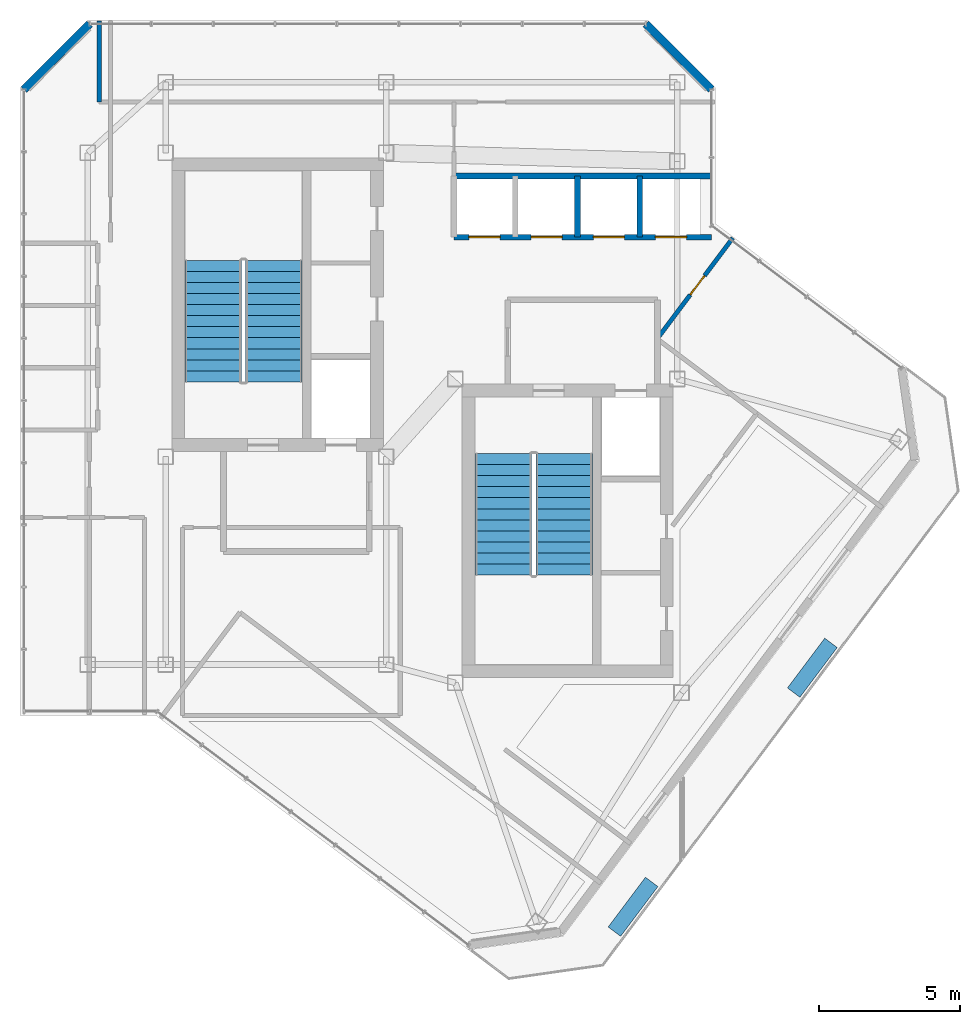
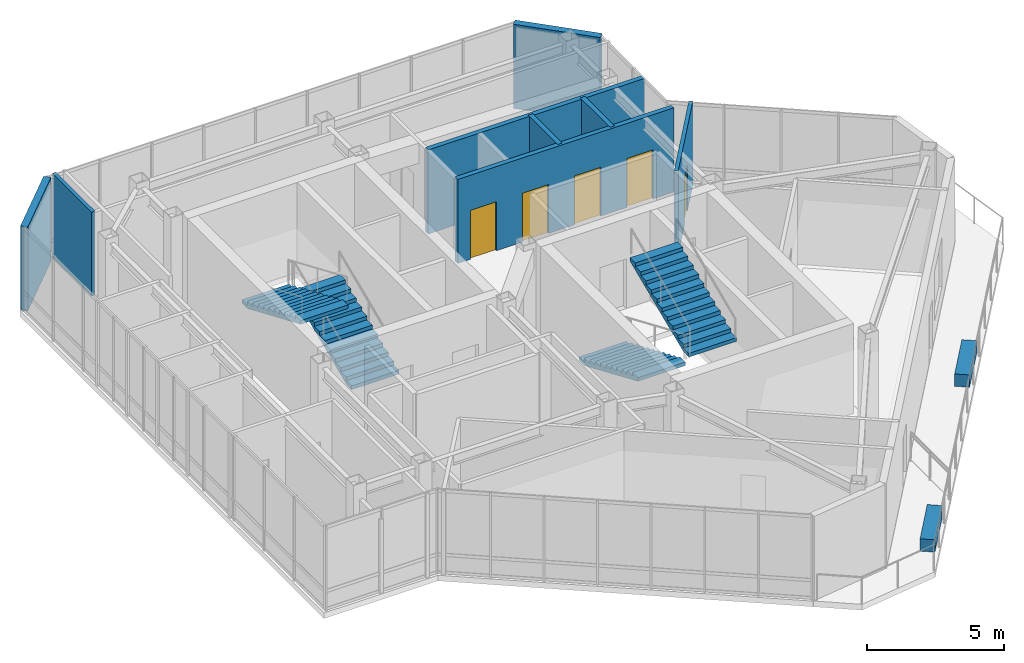
# One storey, part 20 of 23: 8 walls, 5 doors, 4 stair flights, 2 discrete accessories, 5 openings, 2 elements without a shape of their own.
"""IFC4 building model written with IfcOpenShell, lengths in metres."""

from ifc_helpers import new_model, si_unit, direction, frame, frame_2d, origin, origin_2d, place, context, subcontext, project, spatial, polyline, rectangle, outline, extrude, material, layer, layer_set, type_object, element, fill, aggregate, save


model = new_model("IFC4")

# Units and contexts
model_context = context("Model", 3, precision=1e-05, world=origin(), true_north=direction((0.0, 1.0)))
body_context = subcontext(model_context, "Body", "Model", "MODEL_VIEW")
ifc_project = project(units=[si_unit("LENGTHUNIT", "METRE"), si_unit("AREAUNIT", "SQUARE_METRE"), si_unit("VOLUMEUNIT", "CUBIC_METRE"), si_unit("PLANEANGLEUNIT", "RADIAN"), si_unit("MASSUNIT", "GRAM", prefix="KILO")], contexts=[model_context])

# Site, building, storey
site_placement = place(None, origin())
site = spatial("IfcSite", under=ifc_project, at=site_placement, CompositionType="ELEMENT")
building_placement = place(site_placement, origin())
building = spatial("IfcBuilding", under=site, at=building_placement, Name="Hatsunagi Terrace Concourse", CompositionType="ELEMENT")
storey_placement = place(building_placement, frame((0.0, 0.0, 281.949951171875)))
storey = spatial("IfcBuildingStorey", under=building, at=storey_placement, Name="L74", CompositionType="ELEMENT", Elevation=281.949951171875)

# Wall
ifc_material_1 = material(Name="Acoustic mineral board", Category="gypsum")
ifc_layer_1 = layer(ifc_material_1, 0.14990234375)
ifc_layer_set_1 = layer_set([ifc_layer_1], Name="PartitionWall_EI60_150")
wall_type_1 = type_object("IfcWallType", Name="PartitionWall_EI60_150", PredefinedType="PARTITIONING", material=ifc_layer_set_1)
wall_1_placement = place(storey_placement, frame((23.199951171875, 45.10009765625, 0.0), z_axis=(0.0, 0.0, 1.0), x_axis=(0.0, 1.0, 0.0)))
element("IfcWall", 1, at=wall_1_placement, inside=storey, type_object=wall_type_1, Name="Interior Partition IW-L74-029", PredefinedType="PARTITIONING", context=body_context, shape_type="SweptSolid", body=[
    extrude(rectangle(XDim=2.85986328125, YDim=0.14990234375, at=frame_2d((1.429931640625, 0.0))), origin(), (0.0, 0.0, 1.0), 3.75),
])

# Wall, opening, door
wall_2_placement = place(storey_placement, frame((42.93994140625, 36.719970703125, 0.0), z_axis=(0.0, 0.0, 1.0), x_axis=(0.599991241767, 0.8000065686, 0.0)))
wall_2 = element("IfcWall", 2, at=wall_2_placement, inside=storey, type_object=wall_type_1, Name="Interior Partition IW-L74-043", PredefinedType="PARTITIONING", context=body_context, shape_type="SweptSolid", body=[
    extrude(rectangle(XDim=4.460205078125, YDim=0.14990234375, at=frame_2d((2.22998046875, 0.0))), origin(), (0.0, 0.0, 1.0), 3.75),
])
opening_1_placement = place(wall_2_placement, frame((1.947021484375, 0.0, 0.0)))
opening_1 = element("IfcOpeningElement", 3, at=opening_1_placement, cuts=wall_2, Name="Opening DR-085", PredefinedType="OPENING", context=body_context, shape_type="SweptSolid", body=[
    extrude(rectangle(XDim=0.85009765625, YDim=2.080078125, at=frame_2d((0.425048828125, 1.0400390625))), frame((0.0, 0.0849609375, 0.0), z_axis=(0.0, -1.0, 0.0), x_axis=(1.0, 0.0, 0.0)), (0.0, 0.0, 1.0), 0.169921875),
])
ifc_material_2 = material(Name="Painted steel", Category="steel")
door_type_1 = type_object("IfcDoorType", Name="RiserAccessDoor_EI60_850", OperationType="NOTDEFINED", PredefinedType="DOOR", material=ifc_material_2)
door_1_placement = place(opening_1_placement, origin())
door_1 = element("IfcDoor", 4, at=door_1_placement, inside=storey, type_object=door_type_1, Name="Meeting Room L74-CR3B Door", OperationType="SINGLE_SWING_LEFT", OverallHeight=2.080078125, OverallWidth=0.85009765625, PredefinedType="DOOR", context=body_context, shape_type="SweptSolid", body=[
    extrude(rectangle(XDim=0.85009765625, YDim=2.080078125, at=frame_2d((0.425048828125, 1.0400390625))), frame((0.0, 0.02490234375, 0.0), z_axis=(0.0, -1.0, 0.0), x_axis=(1.0, 0.0, 0.0)), (0.0, 0.0, 1.0), 0.050048828125),
])
fill(opening_1, door_1)

# Walls
ifc_material_3 = material(Name="Acoustic mineral board", Category="gypsum")
ifc_layer_2 = layer(ifc_material_3, 0.199951171875)
ifc_layer_set_2 = layer_set([ifc_layer_2], Name="ShaftWall_EI120_200")
wall_type_2 = type_object("IfcWallType", Name="ShaftWall_EI120_200", PredefinedType="STANDARD", material=ifc_layer_set_2)
wall_3_placement = place(storey_placement, frame((35.75, 42.47998046875, 0.0), z_axis=(0.0, 0.0, 1.0), x_axis=(1.0, 0.0, 0.0)))
element("IfcWall", 5, at=wall_3_placement, inside=storey, type_object=wall_type_2, Name="Interior Partition IW-L74-011", PredefinedType="STANDARD", context=body_context, shape_type="SweptSolid", body=[
    extrude(rectangle(XDim=9.110107421875, YDim=0.199951171875, at=frame_2d((4.55517578125, 0.0))), origin(), (0.0, 0.0, 1.0), 3.75),
])
for number, where, z_axis, x_axis, name in (
    (6, (40.1201171875, 40.320068359375, 0.0), (0.0, 0.0, 1.0), (0.0, 1.0, 0.0), "Interior Partition IW-L74-014"),
    (7, (42.320068359375, 40.320068359375, 0.0), (0.0, 0.0, 1.0), (0.0, 1.0, 0.0), "Interior Partition IW-L74-015"),
):
    element("IfcWall", number, at=place(storey_placement, frame(where, z_axis=z_axis, x_axis=x_axis)), inside=storey, type_object=wall_type_2, Name=name, PredefinedType="STANDARD", context=body_context, shape_type="SweptSolid", body=[
        extrude(rectangle(XDim=2.159912109375, YDim=0.199951171875, at=frame_2d((1.080078125, 0.0))), origin(), (0.0, 0.0, 1.0), 3.75),
    ])

# Wall, openings, doors
wall_4_placement = place(storey_placement, frame((35.75, 40.320068359375, 0.0), z_axis=(0.0, 0.0, 1.0), x_axis=(1.0, 0.0, 0.0)))
wall_4 = element("IfcWall", 8, at=wall_4_placement, inside=storey, type_object=wall_type_2, Name="Interior Partition IW-L74-016", PredefinedType="STANDARD", context=body_context, shape_type="SweptSolid", body=[
    extrude(rectangle(XDim=9.110107421875, YDim=0.199951171875, at=frame_2d((4.55517578125, 0.0))), origin(), (0.0, 0.0, 1.0), 3.75),
])
opening_2_placement = place(wall_4_placement, frame((0.530029296875, 0.0, 0.0)))
opening_2 = element("IfcOpeningElement", 9, at=opening_2_placement, cuts=wall_4, Name="Opening LD-04", PredefinedType="OPENING", context=body_context, shape_type="SweptSolid", body=[
    extrude(rectangle(XDim=1.10009765625, YDim=2.179931640625, at=frame_2d((0.550048828125, 1.08984375))), frame((0.0, 0.10986328125, 0.0), z_axis=(0.0, -1.0, 0.0), x_axis=(1.0, 0.0, 0.0)), (0.0, 0.0, 1.0), 0.219970703125),
])
opening_3_placement = place(wall_4_placement, frame((2.72998046875, 0.0, 0.0)))
opening_3 = element("IfcOpeningElement", 10, at=opening_3_placement, cuts=wall_4, Name="Opening LD-04", PredefinedType="OPENING", context=body_context, shape_type="SweptSolid", body=[
    extrude(rectangle(XDim=1.10009765625, YDim=2.179931640625, at=frame_2d((0.550048828125, 1.08984375))), frame((0.0, 0.10986328125, 0.0), z_axis=(0.0, -1.0, 0.0), x_axis=(1.0, 0.0, 0.0)), (0.0, 0.0, 1.0), 0.219970703125),
])
opening_4_placement = place(wall_4_placement, frame((4.929931640625, 0.0, 0.0)))
opening_4 = element("IfcOpeningElement", 11, at=opening_4_placement, cuts=wall_4, Name="Opening LD-04", PredefinedType="OPENING", context=body_context, shape_type="SweptSolid", body=[
    extrude(rectangle(XDim=1.10009765625, YDim=2.179931640625, at=frame_2d((0.550048828125, 1.08984375))), frame((0.0, 0.10986328125, 0.0), z_axis=(0.0, -1.0, 0.0), x_axis=(1.0, 0.0, 0.0)), (0.0, 0.0, 1.0), 0.219970703125),
])
opening_5_placement = place(wall_4_placement, frame((7.1298828125, 0.0, 0.0)))
opening_5 = element("IfcOpeningElement", 12, at=opening_5_placement, cuts=wall_4, Name="Opening LD-04", PredefinedType="OPENING", context=body_context, shape_type="SweptSolid", body=[
    extrude(rectangle(XDim=1.10009765625, YDim=2.179931640625, at=frame_2d((0.550048828125, 1.08984375))), frame((0.0, 0.10986328125, 0.0), z_axis=(0.0, -1.0, 0.0), x_axis=(1.0, 0.0, 0.0)), (0.0, 0.0, 1.0), 0.219970703125),
])
ifc_material_4 = material(Name="Stainless steel", Category="steel")
door_type_2 = type_object("IfcDoorType", Name="LiftLandingDoor_LD04", OperationType="SLIDING_TO_RIGHT", PredefinedType="USERDEFINED", material=ifc_material_4)
door_2_placement = place(opening_2_placement, origin())
door_2 = element("IfcDoor", 13, at=door_2_placement, inside=storey, type_object=door_type_2, Name="Lift landing door PL-05 L74", ObjectType="SLIDING_LANDING_DOOR", OperationType="SLIDING_TO_RIGHT", OverallHeight=2.179931640625, OverallWidth=1.10009765625, PredefinedType="USERDEFINED", context=body_context, shape_type="SweptSolid", body=[
    extrude(rectangle(XDim=1.10009765625, YDim=2.179931640625, at=frame_2d((0.550048828125, 1.08984375))), frame((0.0, 0.02490234375, 0.0), z_axis=(0.0, -1.0, 0.0), x_axis=(1.0, 0.0, 0.0)), (0.0, 0.0, 1.0), 0.050048828125),
])
fill(opening_2, door_2)
door_3_placement = place(opening_3_placement, origin())
door_3 = element("IfcDoor", 14, at=door_3_placement, inside=storey, type_object=door_type_2, Name="Lift landing door PL-06 L74", ObjectType="SLIDING_LANDING_DOOR", OperationType="SLIDING_TO_RIGHT", OverallHeight=2.179931640625, OverallWidth=1.10009765625, PredefinedType="USERDEFINED", context=body_context, shape_type="SweptSolid", body=[
    extrude(rectangle(XDim=1.10009765625, YDim=2.179931640625, at=frame_2d((0.550048828125, 1.08984375))), frame((0.0, 0.02490234375, 0.0), z_axis=(0.0, -1.0, 0.0), x_axis=(1.0, 0.0, 0.0)), (0.0, 0.0, 1.0), 0.050048828125),
])
fill(opening_3, door_3)
door_4_placement = place(opening_4_placement, origin())
door_4 = element("IfcDoor", 15, at=door_4_placement, inside=storey, type_object=door_type_2, Name="Lift landing door PL-07 L74", ObjectType="SLIDING_LANDING_DOOR", OperationType="SLIDING_TO_RIGHT", OverallHeight=2.179931640625, OverallWidth=1.10009765625, PredefinedType="USERDEFINED", context=body_context, shape_type="SweptSolid", body=[
    extrude(rectangle(XDim=1.10009765625, YDim=2.179931640625, at=frame_2d((0.550048828125, 1.08984375))), frame((0.0, 0.02490234375, 0.0), z_axis=(0.0, -1.0, 0.0), x_axis=(1.0, 0.0, 0.0)), (0.0, 0.0, 1.0), 0.050048828125),
])
fill(opening_4, door_4)
door_5_placement = place(opening_5_placement, origin())
door_5 = element("IfcDoor", 16, at=door_5_placement, inside=storey, type_object=door_type_2, Name="Lift landing door PL-08 L74", ObjectType="SLIDING_LANDING_DOOR", OperationType="SLIDING_TO_RIGHT", OverallHeight=2.179931640625, OverallWidth=1.10009765625, PredefinedType="USERDEFINED", context=body_context, shape_type="SweptSolid", body=[
    extrude(rectangle(XDim=1.10009765625, YDim=2.179931640625, at=frame_2d((0.550048828125, 1.08984375))), frame((0.0, 0.02490234375, 0.0), z_axis=(0.0, -1.0, 0.0), x_axis=(1.0, 0.0, 0.0)), (0.0, 0.0, 1.0), 0.050048828125),
])
fill(opening_5, door_5)

# Walls
ifc_material_5 = material(Name="Autoclaved Lightweight Concrete and Terracotta Cladding", Category="masonry")
ifc_layer_3 = layer(ifc_material_5, 0.280029296875)
ifc_layer_set_3 = layer_set([ifc_layer_3], Name="TerracottaSpandrelWall_280")
wall_type_3 = type_object("IfcWallType", Name="TerracottaSpandrelWall_280", PredefinedType="STANDARD", material=ifc_layer_set_3)
wall_5_placement = place(storey_placement, frame((20.5400390625, 45.5419921875, 0.0), z_axis=(0.0, 0.0, 1.0), x_axis=(0.707069542501, 0.707144017911, 0.0)))
element("IfcWall", 17, at=wall_5_placement, inside=storey, type_object=wall_type_3, Name="Exterior Spandrel Wall EW-L74-08", PredefinedType="STANDARD", context=body_context, shape_type="SweptSolid", body=[
    extrude(rectangle(XDim=3.278076171875, YDim=0.280029296875, at=frame_2d((1.63916015625, 0.0))), origin(), (0.0, 0.0, 1.0), 3.75),
])
wall_6_placement = place(storey_placement, frame((42.5419921875, 47.860107421875, 0.0), z_axis=(0.0, 0.0, 1.0), x_axis=(0.707106781187, -0.707106781187, 0.0)))
element("IfcWall", 18, at=wall_6_placement, inside=storey, type_object=wall_type_3, Name="Exterior Spandrel Wall EW-L74-10", PredefinedType="STANDARD", context=body_context, shape_type="SweptSolid", body=[
    extrude(rectangle(XDim=3.2783203125, YDim=0.280029296875, at=frame_2d((1.63916015625, 0.0))), origin(), (0.0, 0.0, 1.0), 3.75),
])

# Stair, stair flights
ifc_material_6 = material(Name="Concrete Fc42", Category="concrete")
stair_type = type_object("IfcStairType", Name="DoglegExitStair_Tower2000_24R_167", PredefinedType="HALF_TURN_STAIR", material=ifc_material_6)
stair_1_placement = place(storey_placement, origin())
stair_1 = element("IfcStair", 19, at=stair_1_placement, inside=storey, type_object=stair_type, Name="L74 Core A Protected Exit Stair ST-A", PredefinedType="HALF_TURN_STAIR")
ifc_material_7 = material(Name="Concrete Fc42", Category="concrete")
stair_flight_type = type_object("IfcStairFlightType", Name="DoglegStairFlight_Tower2000_24R_167", PredefinedType="STRAIGHT", material=ifc_material_7)
stair_flight_1_placement = place(storey_placement, frame((29.3798828125, 35.199951171875, 0.0), z_axis=(0.0, 0.0, 1.0), x_axis=(0.0, 1.0, 0.0)))
stair_flight_1 = element("IfcStairFlight", 20, at=stair_flight_1_placement, type_object=stair_flight_type, Name="ST-A flight 1", NumberOfRisers=12, NumberOfTreads=11, PredefinedType="STRAIGHT", RiserHeight=0.166666667, TreadLength=0.39, context=body_context, shape_type="SweptSolid", body=[
    extrude(outline(polyline([(0.0, 0.0), (0.0, 0.166748046875), (0.389892578125, 0.166748046875), (0.389892578125, 0.333251953125), (0.780029296875, 0.333251953125), (0.780029296875, 0.5), (1.169921875, 0.5), (1.169921875, 0.666748046875), (1.56005859375, 0.666748046875), (1.56005859375, 0.833251953125), (1.949951171875, 0.833251953125), (1.949951171875, 1.0), (2.340087890625, 1.0), (2.340087890625, 1.166748046875), (2.72998046875, 1.166748046875), (2.72998046875, 1.333251953125), (3.1201171875, 1.333251953125), (3.1201171875, 1.5), (3.510009765625, 1.5), (3.510009765625, 1.666748046875), (3.89990234375, 1.666748046875), (3.89990234375, 1.833251953125), (4.2900390625, 1.833251953125), (4.2900390625, 2.0), (4.2900390625, 1.67041015625), (0.38134765625, 0.0), (0.0, 0.0)])), frame((0.0, 1.0, 0.0), z_axis=(0.0, -1.0, 0.0), x_axis=(1.0, 0.0, 0.0)), (0.0, 0.0, 1.0), 2.0),
])
stair_flight_2_placement = place(storey_placement, frame((27.22998046875, 39.489990234375, 2.0), z_axis=(0.0, 0.0, 1.0), x_axis=(0.0, -1.0, 0.0)))
stair_flight_2 = element("IfcStairFlight", 21, at=stair_flight_2_placement, type_object=stair_flight_type, Name="ST-A flight 2", NumberOfRisers=12, NumberOfTreads=11, PredefinedType="STRAIGHT", RiserHeight=0.166666667, TreadLength=0.39, context=body_context, shape_type="SweptSolid", body=[
    extrude(outline(polyline([(0.0, 0.0), (0.0, 0.166748046875), (0.389892578125, 0.166748046875), (0.389892578125, 0.333251953125), (0.780029296875, 0.333251953125), (0.780029296875, 0.5), (1.169921875, 0.5), (1.169921875, 0.666748046875), (1.56005859375, 0.666748046875), (1.56005859375, 0.833251953125), (1.949951171875, 0.833251953125), (1.949951171875, 1.0), (2.340087890625, 1.0), (2.340087890625, 1.166748046875), (2.72998046875, 1.166748046875), (2.72998046875, 1.333251953125), (3.1201171875, 1.333251953125), (3.1201171875, 1.5), (3.510009765625, 1.5), (3.510009765625, 1.666748046875), (3.89990234375, 1.666748046875), (3.89990234375, 1.833251953125), (4.2900390625, 1.833251953125), (4.2900390625, 2.0), (4.2900390625, 1.67041015625), (0.38134765625, 0.0), (0.0, 0.0)])), frame((0.0, 1.0, 0.0), z_axis=(0.0, -1.0, 0.0), x_axis=(1.0, 0.0, 0.0)), (0.0, 0.0, 1.0), 2.0),
])
aggregate(stair_1, [stair_flight_1, stair_flight_2])

stair_2_placement = place(storey_placement, origin())
stair_2 = element("IfcStair", 22, at=stair_2_placement, inside=storey, type_object=stair_type, Name="L74 Core B Protected Exit Stair ST-B", PredefinedType="HALF_TURN_STAIR")
stair_flight_3_placement = place(storey_placement, frame((37.5, 32.659912109375, 0.0), z_axis=(0.0, 0.0, 1.0), x_axis=(0.0, -1.0, 0.0)))
stair_flight_3 = element("IfcStairFlight", 23, at=stair_flight_3_placement, type_object=stair_flight_type, Name="ST-B flight 1", NumberOfRisers=12, NumberOfTreads=11, PredefinedType="STRAIGHT", RiserHeight=0.166666667, TreadLength=0.39, context=body_context, shape_type="SweptSolid", body=[
    extrude(outline(polyline([(0.0, 0.0), (0.0, 0.166748046875), (0.389892578125, 0.166748046875), (0.389892578125, 0.333251953125), (0.780029296875, 0.333251953125), (0.780029296875, 0.5), (1.169921875, 0.5), (1.169921875, 0.666748046875), (1.56005859375, 0.666748046875), (1.56005859375, 0.833251953125), (1.949951171875, 0.833251953125), (1.949951171875, 1.0), (2.340087890625, 1.0), (2.340087890625, 1.166748046875), (2.72998046875, 1.166748046875), (2.72998046875, 1.333251953125), (3.1201171875, 1.333251953125), (3.1201171875, 1.5), (3.510009765625, 1.5), (3.510009765625, 1.666748046875), (3.89990234375, 1.666748046875), (3.89990234375, 1.833251953125), (4.2900390625, 1.833251953125), (4.2900390625, 2.0), (4.2900390625, 1.67041015625), (0.38134765625, 0.0), (0.0, 0.0)])), frame((0.0, 1.0, 0.0), z_axis=(0.0, -1.0, 0.0), x_axis=(1.0, 0.0, 0.0)), (0.0, 0.0, 1.0), 2.0),
])
stair_flight_4_placement = place(storey_placement, frame((39.64990234375, 28.3701171875, 2.0), z_axis=(0.0, 0.0, 1.0), x_axis=(0.0, 1.0, 0.0)))
stair_flight_4 = element("IfcStairFlight", 24, at=stair_flight_4_placement, type_object=stair_flight_type, Name="ST-B flight 2", NumberOfRisers=12, NumberOfTreads=11, PredefinedType="STRAIGHT", RiserHeight=0.166666667, TreadLength=0.39, context=body_context, shape_type="SweptSolid", body=[
    extrude(outline(polyline([(0.0, 0.0), (0.0, 0.166748046875), (0.389892578125, 0.166748046875), (0.389892578125, 0.333251953125), (0.780029296875, 0.333251953125), (0.780029296875, 0.5), (1.169921875, 0.5), (1.169921875, 0.666748046875), (1.56005859375, 0.666748046875), (1.56005859375, 0.833251953125), (1.949951171875, 0.833251953125), (1.949951171875, 1.0), (2.340087890625, 1.0), (2.340087890625, 1.166748046875), (2.72998046875, 1.166748046875), (2.72998046875, 1.333251953125), (3.1201171875, 1.333251953125), (3.1201171875, 1.5), (3.510009765625, 1.5), (3.510009765625, 1.666748046875), (3.89990234375, 1.666748046875), (3.89990234375, 1.833251953125), (4.2900390625, 1.833251953125), (4.2900390625, 2.0), (4.2900390625, 1.67041015625), (0.38134765625, 0.0), (0.0, 0.0)])), frame((0.0, 1.0, 0.0), z_axis=(0.0, -1.0, 0.0), x_axis=(1.0, 0.0, 0.0)), (0.0, 0.0, 1.0), 2.0),
])
aggregate(stair_2, [stair_flight_3, stair_flight_4])

# Discrete accessories
ifc_material_8 = material(Name="Architectural Precast Terracotta Planter", Category="masonry")
discrete_accessory_type = type_object("IfcDiscreteAccessoryType", Name="SkyGardenPlanterEdge_450", PredefinedType="USERDEFINED", material=ifc_material_8)
for number, where, z_axis, x_axis, name in (
    (25, (42.0849609375, 16.6298828125, 0.01025390625), (0.0, 0.0, 1.0), (-0.600001429133, -0.799998928149, 0.0), "Sky Garden Terrace Planter TER-L74-1-6"),
    (26, (48.427001953125, 25.0859375, 0.01025390625), (0.0, 0.0, 1.0), (-0.599987466426, -0.800009400027, 0.0), "Sky Garden Terrace Planter TER-L74-2-1"),
):
    element("IfcDiscreteAccessory", number, at=place(storey_placement, frame(where, z_axis=z_axis, x_axis=x_axis)), inside=storey, type_object=discrete_accessory_type, Name=name, ObjectType="PLANTER", PredefinedType="USERDEFINED", context=body_context, shape_type="SweptSolid", body=[
        extrude(rectangle(XDim=2.199951171875, YDim=0.550048828125, at=origin_2d()), origin(), (0.0, 0.0, 1.0), 0.550048828125),
    ])

save(model, "model.ifc")
